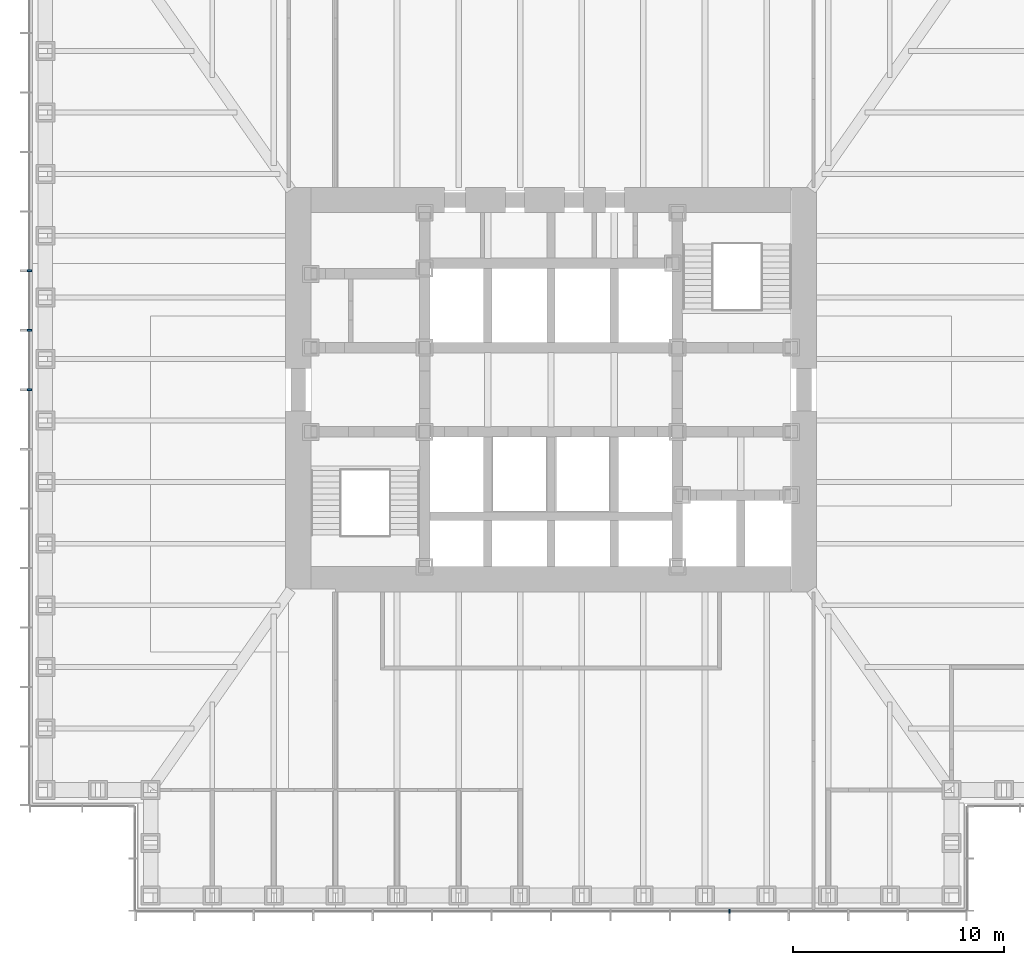
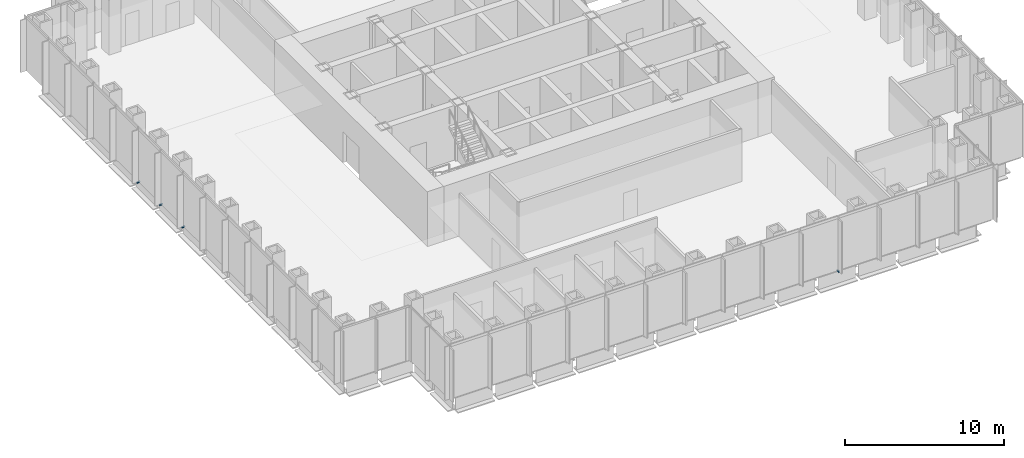
# One storey, part 12 of 16: 4 discrete accessories.
"""IFC4 building model written with IfcOpenShell, lengths in metres."""

from ifc_helpers import new_model, si_unit, direction, frame, origin, origin_2d, place, context, subcontext, project, spatial, rectangle, extrude, element, save


model = new_model("IFC4")

# Units and contexts
model_context = context("Model", 3, precision=1e-05, world=origin(), true_north=direction((0.0, 1.0)))
body_context = subcontext(model_context, "Body", "Model", "MODEL_VIEW")
ifc_project = project(units=[si_unit("LENGTHUNIT", "METRE"), si_unit("AREAUNIT", "SQUARE_METRE"), si_unit("VOLUMEUNIT", "CUBIC_METRE"), si_unit("PLANEANGLEUNIT", "RADIAN"), si_unit("MASSUNIT", "GRAM", prefix="KILO")], contexts=[model_context])

# Site, building, storey
site_placement = place(None, origin())
site = spatial("IfcSite", under=ifc_project, at=site_placement, CompositionType="ELEMENT")
building_placement = place(site_placement, origin())
building = spatial("IfcBuilding", under=site, at=building_placement, Name="Daluyong Arena Tower", CompositionType="ELEMENT")
storey_placement = place(building_placement, frame((0.0, 0.0, 93.699951171875)))
storey = spatial("IfcBuildingStorey", under=building, at=storey_placement, Name="L20", CompositionType="ELEMENT", Elevation=93.699951171875)

# Discrete accessories
for number, where, z_axis, x_axis, name in (
    (1, (64.46435546875, 55.25, -0.10009765625), (0.0, 0.0, 1.0), (1.0, 0.0, 0.0), "curtain wall L20 S anchor bracket 11"),
    (2, (31.25, 85.642822265625, -0.10009765625), (0.0, 0.0, 1.0), (0.0, -1.0, 0.0), "curtain wall L20 W anchor bracket 6"),
    (3, (31.25, 82.821533203125, -0.10009765625), (0.0, 0.0, 1.0), (0.0, -1.0, 0.0), "curtain wall L20 W anchor bracket 7"),
    (4, (31.25, 80.0, -0.10009765625), (0.0, 0.0, 1.0), (0.0, -1.0, 0.0), "curtain wall L20 W anchor bracket 8"),
):
    element("IfcDiscreteAccessory", number, at=place(storey_placement, frame(where, z_axis=z_axis, x_axis=x_axis)), inside=storey, Name=name, PredefinedType="BRACKET", context=body_context, shape_type="SweptSolid", body=[
        extrude(rectangle(XDim=0.080078125, YDim=0.199951171875, at=origin_2d()), origin(), (0.0, 0.0, 1.0), 0.10009765625),
    ])

save(model, "model.ifc")
